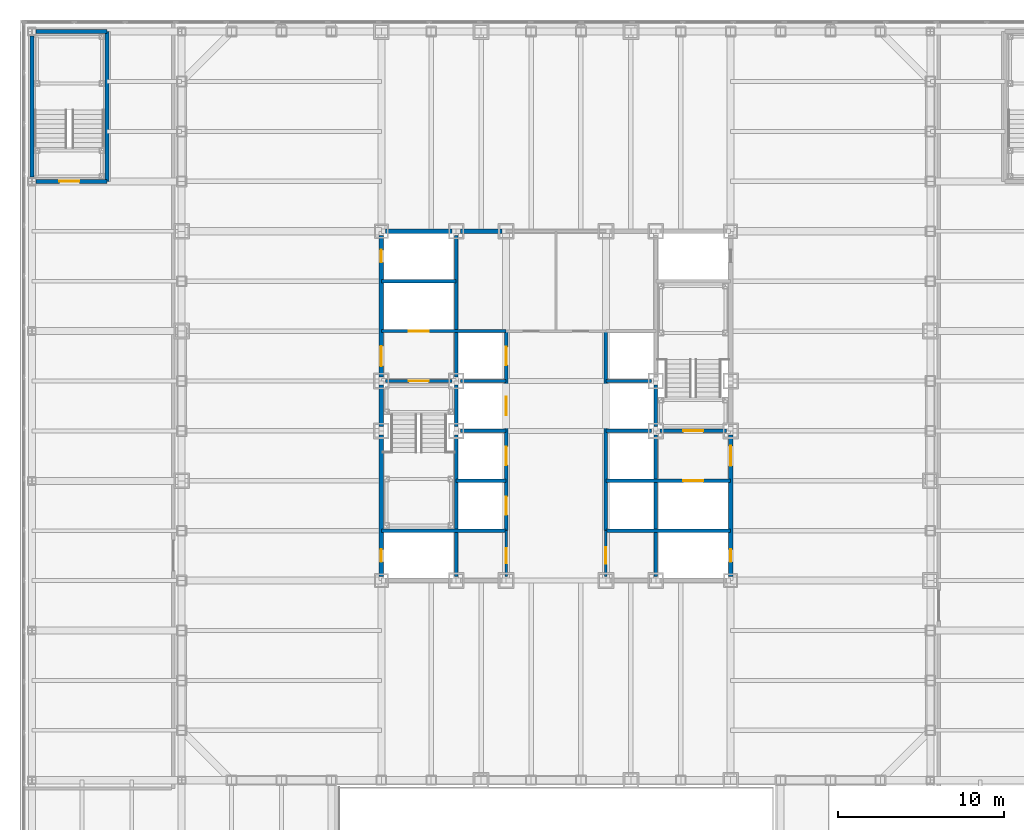
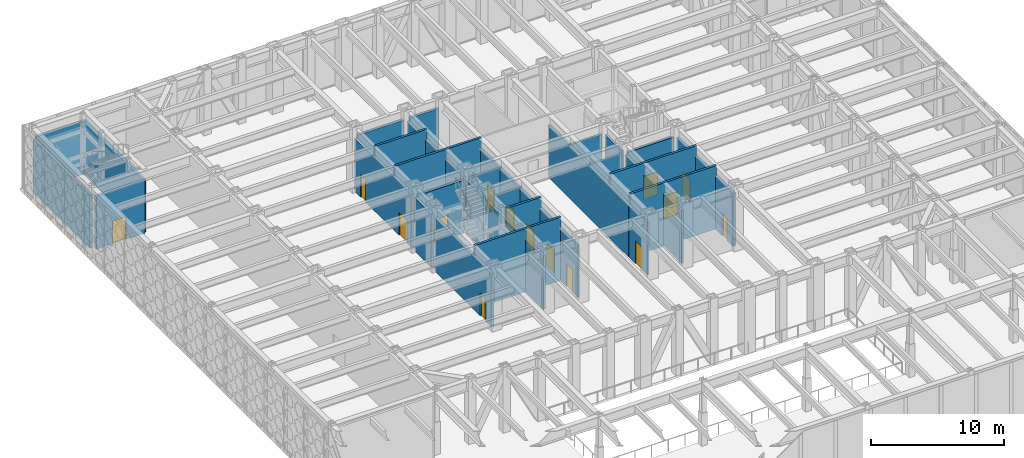
# One storey, part 16 of 32: 31 walls, 16 doors, 16 openings.
"""IFC4 building model written with IfcOpenShell, lengths in metres."""

from ifc_helpers import new_model, si_unit, direction, frame, frame_2d, origin, place, context, subcontext, project, spatial, rectangle, extrude, material, layer, layer_set, type_object, element, fill, save


model = new_model("IFC4")

# Units and contexts
model_context = context("Model", 3, precision=1e-05, world=origin(), true_north=direction((0.0, 1.0)))
body_context = subcontext(model_context, "Body", "Model", "MODEL_VIEW")
ifc_project = project(units=[si_unit("LENGTHUNIT", "METRE"), si_unit("AREAUNIT", "SQUARE_METRE"), si_unit("VOLUMEUNIT", "CUBIC_METRE"), si_unit("PLANEANGLEUNIT", "RADIAN"), si_unit("MASSUNIT", "GRAM", prefix="KILO")], contexts=[model_context])

# Site, building, storey
site_placement = place(None, origin())
site = spatial("IfcSite", under=ifc_project, at=site_placement, CompositionType="ELEMENT")
building_placement = place(site_placement, origin())
building = spatial("IfcBuilding", under=site, at=building_placement, Name="Chuquiago Exchange Tower", CompositionType="ELEMENT")
storey_placement = place(building_placement, frame((0.0, 0.0, 13.5)))
storey = spatial("IfcBuildingStorey", under=building, at=storey_placement, Name="L02", CompositionType="ELEMENT", Elevation=13.5)

# Wall, opening, door
ifc_material_1 = material(Name="Concrete masonry, fully grouted", Category="masonry")
ifc_layer_1 = layer(ifc_material_1, 0.25)
ifc_layer_set_1 = layer_set([ifc_layer_1], Name="W1 core wall 250")
wall_type_1 = type_object("IfcWallType", Name="W1 core wall 250", PredefinedType="SOLIDWALL", material=ifc_layer_set_1)
wall_1_placement = place(storey_placement, frame((12.0, 12.25, 0.0), z_axis=(0.0, 0.0, 1.0), x_axis=(0.0, 1.0, 0.0)))
wall_1 = element("IfcWall", 1, at=wall_1_placement, inside=storey, type_object=wall_type_1, Name="CW-L02-00-0", PredefinedType="SOLIDWALL", context=body_context, shape_type="SweptSolid", body=[
    extrude(rectangle(XDim=8.5, YDim=0.25, at=frame_2d((4.25, 0.0))), origin(), (0.0, 0.0, 1.0), 4.872802734375),
])
opening_1_placement = place(wall_1_placement, frame((0.875, 0.0, 0.0)))
opening_1 = element("IfcOpeningElement", 2, at=opening_1_placement, cuts=wall_1, Name="Opening L02-007", PredefinedType="OPENING", context=body_context, shape_type="SweptSolid", body=[
    extrude(rectangle(XDim=0.75, YDim=2.10009765625, at=frame_2d((0.375, 1.050048828125))), frame((0.0, 0.135009765625, 0.0), z_axis=(0.0, -1.0, 0.0), x_axis=(1.0, 0.0, 0.0)), (0.0, 0.0, 1.0), 0.27001953125),
])
ifc_material_2 = material(Name="Steel door, painted", Category="steel")
door_type_1 = type_object("IfcDoorType", Name="D6 riser access door 750x2100", OperationType="SINGLE_SWING_LEFT", PredefinedType="DOOR", material=ifc_material_2)
door_1_placement = place(opening_1_placement, origin())
door_1 = element("IfcDoor", 3, at=door_1_placement, inside=storey, type_object=door_type_1, Name="Riser RW1 door", OperationType="SINGLE_SWING_LEFT", OverallHeight=2.10009765625, OverallWidth=0.75, PredefinedType="DOOR", context=body_context, shape_type="SweptSolid", body=[
    extrude(rectangle(XDim=0.75, YDim=2.10009765625, at=frame_2d((0.375, 1.050048828125))), frame((0.0, 0.02490234375, 0.0), z_axis=(0.0, -1.0, 0.0), x_axis=(1.0, 0.0, 0.0)), (0.0, 0.0, 1.0), 0.050048828125),
])
fill(opening_1, door_1)

# Wall
wall_2_placement = place(storey_placement, frame((12.0, 21.25, 0.0), z_axis=(0.0, 0.0, 1.0), x_axis=(0.0, 1.0, 0.0)))
element("IfcWall", 4, at=wall_2_placement, inside=storey, type_object=wall_type_1, Name="CW-L02-00-1", PredefinedType="SOLIDWALL", context=body_context, shape_type="SweptSolid", body=[
    extrude(rectangle(XDim=2.5, YDim=0.25, at=frame_2d((1.25, 0.0))), origin(), (0.0, 0.0, 1.0), 4.872802734375),
])

# Wall, openings, doors
wall_3_placement = place(storey_placement, frame((12.0, 24.25, 0.0), z_axis=(0.0, 0.0, 1.0), x_axis=(0.0, 1.0, 0.0)))
wall_3 = element("IfcWall", 5, at=wall_3_placement, inside=storey, type_object=wall_type_1, Name="CW-L02-00-2", PredefinedType="SOLIDWALL", context=body_context, shape_type="SweptSolid", body=[
    extrude(rectangle(XDim=8.5, YDim=0.25, at=frame_2d((4.25, 0.0))), origin(), (0.0, 0.0, 1.0), 4.872802734375),
])
opening_2_placement = place(wall_3_placement, frame((0.64990234375, 0.0, 0.0)))
opening_2 = element("IfcOpeningElement", 6, at=opening_2_placement, cuts=wall_3, Name="Opening L02-002", PredefinedType="OPENING", context=body_context, shape_type="SweptSolid", body=[
    extrude(rectangle(XDim=1.199951171875, YDim=2.10009765625, at=frame_2d((0.60009765625, 1.050048828125))), frame((0.0, 0.135009765625, 0.0), z_axis=(0.0, -1.0, 0.0), x_axis=(1.0, 0.0, 0.0)), (0.0, 0.0, 1.0), 0.27001953125),
])
opening_3_placement = place(wall_3_placement, frame((6.875, 0.0, 0.0)))
opening_3 = element("IfcOpeningElement", 7, at=opening_3_placement, cuts=wall_3, Name="Opening L02-008", PredefinedType="OPENING", context=body_context, shape_type="SweptSolid", body=[
    extrude(rectangle(XDim=0.75, YDim=2.10009765625, at=frame_2d((0.375, 1.050048828125))), frame((0.0, 0.135009765625, 0.0), z_axis=(0.0, -1.0, 0.0), x_axis=(1.0, 0.0, 0.0)), (0.0, 0.0, 1.0), 0.27001953125),
])
ifc_material_3 = material(Name="Steel door, painted", Category="steel")
door_type_2 = type_object("IfcDoorType", Name="D5 firefighting lobby door 1200x2100", OperationType="SINGLE_SWING_LEFT", PredefinedType="DOOR", material=ifc_material_3)
door_2_placement = place(opening_2_placement, frame((1.199951171875, 0.0, 0.0), z_axis=(0.0, 0.0, 1.0), x_axis=(-1.0, 0.0, 0.0)))
door_2 = element("IfcDoor", 8, at=door_2_placement, inside=storey, type_object=door_type_2, Name="Firefighting lobby 1 door", OperationType="SINGLE_SWING_RIGHT", OverallHeight=2.10009765625, OverallWidth=1.199951171875, PredefinedType="DOOR", context=body_context, shape_type="SweptSolid", body=[
    extrude(rectangle(XDim=1.199951171875, YDim=2.10009765625, at=frame_2d((0.60009765625, 1.050048828125))), frame((0.0, 0.02490234375, 0.0), z_axis=(0.0, -1.0, 0.0), x_axis=(1.0, 0.0, 0.0)), (0.0, 0.0, 1.0), 0.050048828125),
])
fill(opening_2, door_2)
door_3_placement = place(opening_3_placement, origin())
door_3 = element("IfcDoor", 9, at=door_3_placement, inside=storey, type_object=door_type_1, Name="Riser RW2 door", OperationType="SINGLE_SWING_RIGHT", OverallHeight=2.10009765625, OverallWidth=0.75, PredefinedType="DOOR", context=body_context, shape_type="SweptSolid", body=[
    extrude(rectangle(XDim=0.75, YDim=2.10009765625, at=frame_2d((0.375, 1.050048828125))), frame((0.0, 0.02490234375, 0.0), z_axis=(0.0, -1.0, 0.0), x_axis=(1.0, 0.0, 0.0)), (0.0, 0.0, 1.0), 0.050048828125),
])
fill(opening_3, door_3)

# Walls
wall_4_placement = place(storey_placement, frame((12.25, 33.0, 0.0), z_axis=(0.0, 0.0, 1.0), x_axis=(1.0, 0.0, 0.0)))
element("IfcWall", 10, at=wall_4_placement, inside=storey, type_object=wall_type_1, Name="CW-L02-11-0", PredefinedType="SOLIDWALL", context=body_context, shape_type="SweptSolid", body=[
    extrude(rectangle(XDim=4.0, YDim=0.25, at=frame_2d((2.0, 0.0))), origin(), (0.0, 0.0, 1.0), 4.94140625),
])
wall_5_placement = place(storey_placement, frame((16.75, 33.0, 0.0), z_axis=(0.0, 0.0, 1.0), x_axis=(1.0, 0.0, 0.0)))
element("IfcWall", 11, at=wall_5_placement, inside=storey, type_object=wall_type_1, Name="CW-L02-11-1", PredefinedType="SOLIDWALL", context=body_context, shape_type="SweptSolid", body=[
    extrude(rectangle(XDim=2.5, YDim=0.25, at=frame_2d((1.25, 0.0))), origin(), (0.0, 0.0, 1.0), 4.94140625),
])

# Wall, openings, doors
wall_6_placement = place(storey_placement, frame((33.0, 12.25, 0.0), z_axis=(0.0, 0.0, 1.0), x_axis=(0.0, 1.0, 0.0)))
wall_6 = element("IfcWall", 12, at=wall_6_placement, inside=storey, type_object=wall_type_1, Name="CW-L02-25-0", PredefinedType="SOLIDWALL", context=body_context, shape_type="SweptSolid", body=[
    extrude(rectangle(XDim=8.5, YDim=0.25, at=frame_2d((4.25, 0.0))), origin(), (0.0, 0.0, 1.0), 4.872802734375),
])
opening_4_placement = place(wall_6_placement, frame((6.64990234375, 0.0, 0.0)))
opening_4 = element("IfcOpeningElement", 13, at=opening_4_placement, cuts=wall_6, Name="Opening L02-004", PredefinedType="OPENING", context=body_context, shape_type="SweptSolid", body=[
    extrude(rectangle(XDim=1.199951171875, YDim=2.10009765625, at=frame_2d((0.60009765625, 1.050048828125))), frame((0.0, 0.135009765625, 0.0), z_axis=(0.0, -1.0, 0.0), x_axis=(1.0, 0.0, 0.0)), (0.0, 0.0, 1.0), 0.27001953125),
])
opening_5_placement = place(wall_6_placement, frame((0.875, 0.0, 0.0)))
opening_5 = element("IfcOpeningElement", 14, at=opening_5_placement, cuts=wall_6, Name="Opening L02-009", PredefinedType="OPENING", context=body_context, shape_type="SweptSolid", body=[
    extrude(rectangle(XDim=0.75, YDim=2.10009765625, at=frame_2d((0.375, 1.050048828125))), frame((0.0, 0.135009765625, 0.0), z_axis=(0.0, -1.0, 0.0), x_axis=(1.0, 0.0, 0.0)), (0.0, 0.0, 1.0), 0.27001953125),
])
door_4_placement = place(opening_4_placement, origin())
door_4 = element("IfcDoor", 15, at=door_4_placement, inside=storey, type_object=door_type_2, Name="Firefighting lobby 2 door", OperationType="SINGLE_SWING_RIGHT", OverallHeight=2.10009765625, OverallWidth=1.199951171875, PredefinedType="DOOR", context=body_context, shape_type="SweptSolid", body=[
    extrude(rectangle(XDim=1.199951171875, YDim=2.10009765625, at=frame_2d((0.60009765625, 1.050048828125))), frame((0.0, 0.02490234375, 0.0), z_axis=(0.0, -1.0, 0.0), x_axis=(1.0, 0.0, 0.0)), (0.0, 0.0, 1.0), 0.050048828125),
])
fill(opening_4, door_4)
door_5_placement = place(opening_5_placement, frame((0.75, 0.0, 0.0), z_axis=(0.0, 0.0, 1.0), x_axis=(-1.0, 0.0, 0.0)))
door_5 = element("IfcDoor", 16, at=door_5_placement, inside=storey, type_object=door_type_1, Name="Riser RE1 door", OperationType="SINGLE_SWING_RIGHT", OverallHeight=2.10009765625, OverallWidth=0.75, PredefinedType="DOOR", context=body_context, shape_type="SweptSolid", body=[
    extrude(rectangle(XDim=0.75, YDim=2.10009765625, at=frame_2d((0.375, 1.050048828125))), frame((0.0, 0.02490234375, 0.0), z_axis=(0.0, -1.0, 0.0), x_axis=(1.0, 0.0, 0.0)), (0.0, 0.0, 1.0), 0.050048828125),
])
fill(opening_5, door_5)

# Wall, opening, door
ifc_material_4 = material(Name="Concrete masonry, fully grouted", Category="masonry")
ifc_layer_2 = layer(ifc_material_4, 0.25)
ifc_layer_set_2 = layer_set([ifc_layer_2], Name="W10 podium stair wall 250")
wall_type_2 = type_object("IfcWallType", Name="W10 podium stair wall 250", PredefinedType="SOLIDWALL", material=ifc_layer_set_2)
wall_7_placement = place(storey_placement, frame((-8.75, 36.0, 0.0), z_axis=(0.0, 0.0, 1.0), x_axis=(1.0, 0.0, 0.0)))
wall_7 = element("IfcWall", 17, at=wall_7_placement, inside=storey, type_object=wall_type_2, Name="PSW-L02-PS3-00", PredefinedType="SOLIDWALL", context=body_context, shape_type="SweptSolid", body=[
    extrude(rectangle(XDim=4.25, YDim=0.25, at=frame_2d((2.125, 0.0))), origin(), (0.0, 0.0, 1.0), 4.8525390625),
])
opening_6_placement = place(wall_7_placement, frame((1.39990234375, 0.0, 0.0)))
opening_6 = element("IfcOpeningElement", 18, at=opening_6_placement, cuts=wall_7, Name="Opening L02-023", PredefinedType="OPENING", context=body_context, shape_type="SweptSolid", body=[
    extrude(rectangle(XDim=1.199951171875, YDim=2.10009765625, at=frame_2d((0.60009765625, 1.050048828125))), frame((0.0, 0.135009765625, 0.0), z_axis=(0.0, -1.0, 0.0), x_axis=(1.0, 0.0, 0.0)), (0.0, 0.0, 1.0), 0.27001953125),
])
ifc_material_5 = material(Name="Steel door, painted", Category="steel")
door_type_3 = type_object("IfcDoorType", Name="D4 stair door 1200x2100", OperationType="SINGLE_SWING_LEFT", PredefinedType="DOOR", material=ifc_material_5)
door_6_placement = place(opening_6_placement, origin())
door_6 = element("IfcDoor", 19, at=door_6_placement, inside=storey, type_object=door_type_3, Name="Stair PS3 door", OperationType="SINGLE_SWING_RIGHT", OverallHeight=2.10009765625, OverallWidth=1.199951171875, PredefinedType="DOOR", context=body_context, shape_type="SweptSolid", body=[
    extrude(rectangle(XDim=1.199951171875, YDim=2.10009765625, at=frame_2d((0.60009765625, 1.050048828125))), frame((0.0, 0.02490234375, 0.0), z_axis=(0.0, -1.0, 0.0), x_axis=(1.0, 0.0, 0.0)), (0.0, 0.0, 1.0), 0.050048828125),
])
fill(opening_6, door_6)

# Walls
wall_8_placement = place(storey_placement, frame((-4.5, 36.0, 0.0), z_axis=(0.0, 0.0, 1.0), x_axis=(0.0, 1.0, 0.0)))
element("IfcWall", 20, at=wall_8_placement, inside=storey, type_object=wall_type_2, Name="PSW-L02-PS3-10", PredefinedType="SOLIDWALL", context=body_context, shape_type="SweptSolid", body=[
    extrude(rectangle(XDim=9.0, YDim=0.25, at=frame_2d((4.5, 0.0))), origin(), (0.0, 0.0, 1.0), 4.8525390625),
])
wall_9_placement = place(storey_placement, frame((-8.75, 45.0, 0.0), z_axis=(0.0, 0.0, 1.0), x_axis=(1.0, 0.0, 0.0)))
element("IfcWall", 21, at=wall_9_placement, inside=storey, type_object=wall_type_2, Name="PSW-L02-PS3-20", PredefinedType="SOLIDWALL", context=body_context, shape_type="SweptSolid", body=[
    extrude(rectangle(XDim=4.25, YDim=0.25, at=frame_2d((2.125, 0.0))), origin(), (0.0, 0.0, 1.0), 4.8525390625),
])
wall_10_placement = place(storey_placement, frame((-9.0, 36.25, 0.0), z_axis=(0.0, 0.0, 1.0), x_axis=(0.0, 1.0, 0.0)))
element("IfcWall", 22, at=wall_10_placement, inside=storey, type_object=wall_type_2, Name="PSW-L02-PS3-30", PredefinedType="SOLIDWALL", context=body_context, shape_type="SweptSolid", body=[
    extrude(rectangle(XDim=8.5, YDim=0.25, at=frame_2d((4.25, 0.0))), origin(), (0.0, 0.0, 1.0), 4.8525390625),
])
ifc_material_6 = material(Name="Concrete masonry, fully grouted", Category="masonry")
ifc_layer_3 = layer(ifc_material_6, 0.199951171875)
ifc_layer_set_3 = layer_set([ifc_layer_3], Name="W2 shaft wall 200")
wall_type_3 = type_object("IfcWallType", Name="W2 shaft wall 200", PredefinedType="SOLIDWALL", material=ifc_layer_set_3)
for number, where, z_axis, x_axis, name in (
    (23, (12.0, 15.0, 0.0), (0.0, 0.0, 1.0), (1.0, 0.0, 0.0), "CW-L02-03-0"),
    (24, (25.5, 15.0, 0.0), (0.0, 0.0, 1.0), (1.0, 0.0, 0.0), "CW-L02-04-0"),
):
    element("IfcWall", number, at=place(storey_placement, frame(where, z_axis=z_axis, x_axis=x_axis)), inside=storey, type_object=wall_type_3, Name=name, PredefinedType="SOLIDWALL", context=body_context, shape_type="SweptSolid", body=[
        extrude(rectangle(XDim=7.5, YDim=0.199951171875, at=frame_2d((3.75, 0.0))), origin(), (0.0, 0.0, 1.0), 5.800048828125),
    ])

# Wall, opening, door
wall_11_placement = place(storey_placement, frame((12.25, 24.0, 0.0), z_axis=(0.0, 0.0, 1.0), x_axis=(1.0, 0.0, 0.0)))
wall_11 = element("IfcWall", 25, at=wall_11_placement, inside=storey, type_object=wall_type_3, Name="CW-L02-05-0", PredefinedType="SOLIDWALL", context=body_context, shape_type="SweptSolid", body=[
    extrude(rectangle(XDim=4.0, YDim=0.199951171875, at=frame_2d((2.0, 0.0))), origin(), (0.0, 0.0, 1.0), 4.85009765625),
])
opening_7_placement = place(wall_11_placement, frame((1.39990234375, 0.0, 0.0)))
opening_7 = element("IfcOpeningElement", 26, at=opening_7_placement, cuts=wall_11, Name="Opening L02-001", PredefinedType="OPENING", context=body_context, shape_type="SweptSolid", body=[
    extrude(rectangle(XDim=1.199951171875, YDim=2.10009765625, at=frame_2d((0.60009765625, 1.050048828125))), frame((0.0, 0.10986328125, 0.0), z_axis=(0.0, -1.0, 0.0), x_axis=(1.0, 0.0, 0.0)), (0.0, 0.0, 1.0), 0.219970703125),
])
door_7_placement = place(opening_7_placement, frame((1.199951171875, 0.0, 0.0), z_axis=(0.0, 0.0, 1.0), x_axis=(-1.0, 0.0, 0.0)))
door_7 = element("IfcDoor", 27, at=door_7_placement, inside=storey, type_object=door_type_3, Name="Stair ST1 door", OperationType="SINGLE_SWING_RIGHT", OverallHeight=2.10009765625, OverallWidth=1.199951171875, PredefinedType="DOOR", context=body_context, shape_type="SweptSolid", body=[
    extrude(rectangle(XDim=1.199951171875, YDim=2.10009765625, at=frame_2d((0.60009765625, 1.050048828125))), frame((0.0, 0.02490234375, 0.0), z_axis=(0.0, -1.0, 0.0), x_axis=(1.0, 0.0, 0.0)), (0.0, 0.0, 1.0), 0.050048828125),
])
fill(opening_7, door_7)

# Walls
for number, where, z_axis, x_axis, name in (
    (28, (16.75, 24.0, 0.0), (0.0, 0.0, 1.0), (1.0, 0.0, 0.0), "CW-L02-05-1"),
    (29, (25.5, 24.0, 0.0), (0.0, 0.0, 1.0), (1.0, 0.0, 0.0), "CW-L02-06-0"),
):
    element("IfcWall", number, at=place(storey_placement, frame(where, z_axis=z_axis, x_axis=x_axis)), inside=storey, type_object=wall_type_3, Name=name, PredefinedType="SOLIDWALL", context=body_context, shape_type="SweptSolid", body=[
        extrude(rectangle(XDim=2.75, YDim=0.199951171875, at=frame_2d((1.375, 0.0))), origin(), (0.0, 0.0, 1.0), 4.85009765625),
    ])

# Wall, opening, door
wall_12_placement = place(storey_placement, frame((12.0, 27.0, 0.0), z_axis=(0.0, 0.0, 1.0), x_axis=(1.0, 0.0, 0.0)))
wall_12 = element("IfcWall", 30, at=wall_12_placement, inside=storey, type_object=wall_type_3, Name="CW-L02-07-0", PredefinedType="SOLIDWALL", context=body_context, shape_type="SweptSolid", body=[
    extrude(rectangle(XDim=7.5, YDim=0.199951171875, at=frame_2d((3.75, 0.0))), origin(), (0.0, 0.0, 1.0), 5.800048828125),
])
opening_8_placement = place(wall_12_placement, frame((1.64990234375, 0.0, 0.0)))
opening_8 = element("IfcOpeningElement", 31, at=opening_8_placement, cuts=wall_12, Name="Opening L02-005", PredefinedType="OPENING", context=body_context, shape_type="SweptSolid", body=[
    extrude(rectangle(XDim=1.199951171875, YDim=2.10009765625, at=frame_2d((0.60009765625, 1.050048828125))), frame((0.0, 0.10986328125, 0.0), z_axis=(0.0, -1.0, 0.0), x_axis=(1.0, 0.0, 0.0)), (0.0, 0.0, 1.0), 0.219970703125),
])
ifc_material_7 = material(Name="Stainless steel lift landing door", Category="steel")
door_type_4 = type_object("IfcDoorType", Name="LD2 firefighting lift landing door 1200x2100", OperationType="DOUBLE_DOOR_SLIDING", PredefinedType="DOOR", material=ifc_material_7)
door_8_placement = place(opening_8_placement, origin())
door_8 = element("IfcDoor", 32, at=door_8_placement, inside=storey, type_object=door_type_4, Name="Firefighting lift FL1 landing door", OperationType="DOUBLE_DOOR_SLIDING", OverallHeight=2.10009765625, OverallWidth=1.199951171875, PredefinedType="DOOR", context=body_context, shape_type="SweptSolid", body=[
    extrude(rectangle(XDim=1.199951171875, YDim=2.10009765625, at=frame_2d((0.60009765625, 1.050048828125))), frame((0.0, 0.02490234375, 0.0), z_axis=(0.0, -1.0, 0.0), x_axis=(1.0, 0.0, 0.0)), (0.0, 0.0, 1.0), 0.050048828125),
])
fill(opening_8, door_8)

# Walls
wall_13_placement = place(storey_placement, frame((12.0, 30.0, 0.0), z_axis=(0.0, 0.0, 1.0), x_axis=(1.0, 0.0, 0.0)))
element("IfcWall", 33, at=wall_13_placement, inside=storey, type_object=wall_type_3, Name="CW-L02-09-0", PredefinedType="SOLIDWALL", context=body_context, shape_type="SweptSolid", body=[
    extrude(rectangle(XDim=4.5, YDim=0.199951171875, at=frame_2d((2.25, 0.0))), origin(), (0.0, 0.0, 1.0), 5.800048828125),
])
wall_14_placement = place(storey_placement, frame((16.5, 12.25, 0.0), z_axis=(0.0, 0.0, 1.0), x_axis=(0.0, 1.0, 0.0)))
element("IfcWall", 34, at=wall_14_placement, inside=storey, type_object=wall_type_3, Name="CW-L02-13-0", PredefinedType="SOLIDWALL", context=body_context, shape_type="SweptSolid", body=[
    extrude(rectangle(XDim=8.5, YDim=0.199951171875, at=frame_2d((4.25, 0.0))), origin(), (0.0, 0.0, 1.0), 4.872802734375),
])
wall_15_placement = place(storey_placement, frame((16.5, 21.25, 0.0), z_axis=(0.0, 0.0, 1.0), x_axis=(0.0, 1.0, 0.0)))
element("IfcWall", 35, at=wall_15_placement, inside=storey, type_object=wall_type_3, Name="CW-L02-13-1", PredefinedType="SOLIDWALL", context=body_context, shape_type="SweptSolid", body=[
    extrude(rectangle(XDim=2.5, YDim=0.199951171875, at=frame_2d((1.25, 0.0))), origin(), (0.0, 0.0, 1.0), 4.872802734375),
])
wall_16_placement = place(storey_placement, frame((16.5, 24.25, 0.0), z_axis=(0.0, 0.0, 1.0), x_axis=(0.0, 1.0, 0.0)))
element("IfcWall", 36, at=wall_16_placement, inside=storey, type_object=wall_type_3, Name="CW-L02-13-2", PredefinedType="SOLIDWALL", context=body_context, shape_type="SweptSolid", body=[
    extrude(rectangle(XDim=8.5, YDim=0.199951171875, at=frame_2d((4.25, 0.0))), origin(), (0.0, 0.0, 1.0), 4.872802734375),
])
wall_17_placement = place(storey_placement, frame((16.5, 18.0, 0.0), z_axis=(0.0, 0.0, 1.0), x_axis=(1.0, 0.0, 0.0)))
element("IfcWall", 37, at=wall_17_placement, inside=storey, type_object=wall_type_3, Name="CW-L02-14-0", PredefinedType="SOLIDWALL", context=body_context, shape_type="SweptSolid", body=[
    extrude(rectangle(XDim=3.0, YDim=0.199951171875, at=frame_2d((1.5, 0.0))), origin(), (0.0, 0.0, 1.0), 5.800048828125),
])

# Wall, opening, door
wall_18_placement = place(storey_placement, frame((25.5, 18.0, 0.0), z_axis=(0.0, 0.0, 1.0), x_axis=(1.0, 0.0, 0.0)))
wall_18 = element("IfcWall", 38, at=wall_18_placement, inside=storey, type_object=wall_type_3, Name="CW-L02-15-0", PredefinedType="SOLIDWALL", context=body_context, shape_type="SweptSolid", body=[
    extrude(rectangle(XDim=7.5, YDim=0.199951171875, at=frame_2d((3.75, 0.0))), origin(), (0.0, 0.0, 1.0), 5.800048828125),
])
opening_9_placement = place(wall_18_placement, frame((4.64990234375, 0.0, 0.0)))
opening_9 = element("IfcOpeningElement", 39, at=opening_9_placement, cuts=wall_18, Name="Opening L02-006", PredefinedType="OPENING", context=body_context, shape_type="SweptSolid", body=[
    extrude(rectangle(XDim=1.199951171875, YDim=2.10009765625, at=frame_2d((0.60009765625, 1.050048828125))), frame((0.0, 0.10986328125, 0.0), z_axis=(0.0, -1.0, 0.0), x_axis=(1.0, 0.0, 0.0)), (0.0, 0.0, 1.0), 0.219970703125),
])
door_9_placement = place(opening_9_placement, origin())
door_9 = element("IfcDoor", 40, at=door_9_placement, inside=storey, type_object=door_type_4, Name="Firefighting lift FL2 landing door", OperationType="DOUBLE_DOOR_SLIDING", OverallHeight=2.10009765625, OverallWidth=1.199951171875, PredefinedType="DOOR", context=body_context, shape_type="SweptSolid", body=[
    extrude(rectangle(XDim=1.199951171875, YDim=2.10009765625, at=frame_2d((0.60009765625, 1.050048828125))), frame((0.0, 0.02490234375, 0.0), z_axis=(0.0, -1.0, 0.0), x_axis=(1.0, 0.0, 0.0)), (0.0, 0.0, 1.0), 0.050048828125),
])
fill(opening_9, door_9)

# Walls
for number, where, z_axis, x_axis, name in (
    (41, (16.75, 21.0, 0.0), (0.0, 0.0, 1.0), (1.0, 0.0, 0.0), "CW-L02-16-0"),
    (42, (25.5, 21.0, 0.0), (0.0, 0.0, 1.0), (1.0, 0.0, 0.0), "CW-L02-17-0"),
):
    element("IfcWall", number, at=place(storey_placement, frame(where, z_axis=z_axis, x_axis=x_axis)), inside=storey, type_object=wall_type_3, Name=name, PredefinedType="SOLIDWALL", context=body_context, shape_type="SweptSolid", body=[
        extrude(rectangle(XDim=2.75, YDim=0.199951171875, at=frame_2d((1.375, 0.0))), origin(), (0.0, 0.0, 1.0), 4.85009765625),
    ])

# Wall, opening, door
wall_19_placement = place(storey_placement, frame((28.75, 21.0, 0.0), z_axis=(0.0, 0.0, 1.0), x_axis=(1.0, 0.0, 0.0)))
wall_19 = element("IfcWall", 43, at=wall_19_placement, inside=storey, type_object=wall_type_3, Name="CW-L02-17-1", PredefinedType="SOLIDWALL", context=body_context, shape_type="SweptSolid", body=[
    extrude(rectangle(XDim=4.0, YDim=0.199951171875, at=frame_2d((2.0, 0.0))), origin(), (0.0, 0.0, 1.0), 4.85009765625),
])
opening_10_placement = place(wall_19_placement, frame((1.39990234375, 0.0, 0.0)))
opening_10 = element("IfcOpeningElement", 44, at=opening_10_placement, cuts=wall_19, Name="Opening L02-003", PredefinedType="OPENING", context=body_context, shape_type="SweptSolid", body=[
    extrude(rectangle(XDim=1.199951171875, YDim=2.10009765625, at=frame_2d((0.60009765625, 1.050048828125))), frame((0.0, 0.10986328125, 0.0), z_axis=(0.0, -1.0, 0.0), x_axis=(1.0, 0.0, 0.0)), (0.0, 0.0, 1.0), 0.219970703125),
])
door_10_placement = place(opening_10_placement, origin())
door_10 = element("IfcDoor", 45, at=door_10_placement, inside=storey, type_object=door_type_3, Name="Stair ST2 door", OperationType="SINGLE_SWING_LEFT", OverallHeight=2.10009765625, OverallWidth=1.199951171875, PredefinedType="DOOR", context=body_context, shape_type="SweptSolid", body=[
    extrude(rectangle(XDim=1.199951171875, YDim=2.10009765625, at=frame_2d((0.60009765625, 1.050048828125))), frame((0.0, 0.02490234375, 0.0), z_axis=(0.0, -1.0, 0.0), x_axis=(1.0, 0.0, 0.0)), (0.0, 0.0, 1.0), 0.050048828125),
])
fill(opening_10, door_10)

# Wall, openings, doors
wall_20_placement = place(storey_placement, frame((19.5, 15.0, 0.0), z_axis=(0.0, 0.0, 1.0), x_axis=(0.0, 1.0, 0.0)))
wall_20 = element("IfcWall", 46, at=wall_20_placement, inside=storey, type_object=wall_type_3, Name="CW-L02-19-0", PredefinedType="SOLIDWALL", context=body_context, shape_type="SweptSolid", body=[
    extrude(rectangle(XDim=12.0, YDim=0.199951171875, at=frame_2d((6.0, 0.0))), origin(), (0.0, 0.0, 1.0), 4.82470703125),
])
opening_11_placement = place(wall_20_placement, frame((0.949951171875, 0.0, 0.0)))
opening_11 = element("IfcOpeningElement", 47, at=opening_11_placement, cuts=wall_20, Name="Opening L02-015", PredefinedType="OPENING", context=body_context, shape_type="SweptSolid", body=[
    extrude(rectangle(XDim=1.10009765625, YDim=2.10009765625, at=frame_2d((0.550048828125, 1.050048828125))), frame((0.0, 0.10986328125, 0.0), z_axis=(0.0, -1.0, 0.0), x_axis=(1.0, 0.0, 0.0)), (0.0, 0.0, 1.0), 0.219970703125),
])
opening_12_placement = place(wall_20_placement, frame((3.949951171875, 0.0, 0.0)))
opening_12 = element("IfcOpeningElement", 48, at=opening_12_placement, cuts=wall_20, Name="Opening L02-016", PredefinedType="OPENING", context=body_context, shape_type="SweptSolid", body=[
    extrude(rectangle(XDim=1.10009765625, YDim=2.10009765625, at=frame_2d((0.550048828125, 1.050048828125))), frame((0.0, 0.10986328125, 0.0), z_axis=(0.0, -1.0, 0.0), x_axis=(1.0, 0.0, 0.0)), (0.0, 0.0, 1.0), 0.219970703125),
])
opening_13_placement = place(wall_20_placement, frame((6.949951171875, 0.0, 0.0)))
opening_13 = element("IfcOpeningElement", 49, at=opening_13_placement, cuts=wall_20, Name="Opening L02-017", PredefinedType="OPENING", context=body_context, shape_type="SweptSolid", body=[
    extrude(rectangle(XDim=1.10009765625, YDim=2.10009765625, at=frame_2d((0.550048828125, 1.050048828125))), frame((0.0, 0.10986328125, 0.0), z_axis=(0.0, -1.0, 0.0), x_axis=(1.0, 0.0, 0.0)), (0.0, 0.0, 1.0), 0.219970703125),
])
opening_14_placement = place(wall_20_placement, frame((9.949951171875, 0.0, 0.0)))
opening_14 = element("IfcOpeningElement", 50, at=opening_14_placement, cuts=wall_20, Name="Opening L02-018", PredefinedType="OPENING", context=body_context, shape_type="SweptSolid", body=[
    extrude(rectangle(XDim=1.10009765625, YDim=2.10009765625, at=frame_2d((0.550048828125, 1.050048828125))), frame((0.0, 0.10986328125, 0.0), z_axis=(0.0, -1.0, 0.0), x_axis=(1.0, 0.0, 0.0)), (0.0, 0.0, 1.0), 0.219970703125),
])
ifc_material_8 = material(Name="Stainless steel lift landing door", Category="steel")
door_type_5 = type_object("IfcDoorType", Name="LD1 lift landing door 1100x2100", OperationType="DOUBLE_DOOR_SLIDING", PredefinedType="DOOR", material=ifc_material_8)
door_11_placement = place(opening_11_placement, origin())
door_11 = element("IfcDoor", 51, at=door_11_placement, inside=storey, type_object=door_type_5, Name="Lift LA1 landing door", OperationType="DOUBLE_DOOR_SLIDING", OverallHeight=2.10009765625, OverallWidth=1.10009765625, PredefinedType="DOOR", context=body_context, shape_type="SweptSolid", body=[
    extrude(rectangle(XDim=1.10009765625, YDim=2.10009765625, at=frame_2d((0.550048828125, 1.050048828125))), frame((0.0, 0.02490234375, 0.0), z_axis=(0.0, -1.0, 0.0), x_axis=(1.0, 0.0, 0.0)), (0.0, 0.0, 1.0), 0.050048828125),
])
fill(opening_11, door_11)
door_12_placement = place(opening_12_placement, origin())
door_12 = element("IfcDoor", 52, at=door_12_placement, inside=storey, type_object=door_type_5, Name="Lift LA2 landing door", OperationType="DOUBLE_DOOR_SLIDING", OverallHeight=2.10009765625, OverallWidth=1.10009765625, PredefinedType="DOOR", context=body_context, shape_type="SweptSolid", body=[
    extrude(rectangle(XDim=1.10009765625, YDim=2.10009765625, at=frame_2d((0.550048828125, 1.050048828125))), frame((0.0, 0.02490234375, 0.0), z_axis=(0.0, -1.0, 0.0), x_axis=(1.0, 0.0, 0.0)), (0.0, 0.0, 1.0), 0.050048828125),
])
fill(opening_12, door_12)
door_13_placement = place(opening_13_placement, origin())
door_13 = element("IfcDoor", 53, at=door_13_placement, inside=storey, type_object=door_type_5, Name="Lift LA3 landing door", OperationType="DOUBLE_DOOR_SLIDING", OverallHeight=2.10009765625, OverallWidth=1.10009765625, PredefinedType="DOOR", context=body_context, shape_type="SweptSolid", body=[
    extrude(rectangle(XDim=1.10009765625, YDim=2.10009765625, at=frame_2d((0.550048828125, 1.050048828125))), frame((0.0, 0.02490234375, 0.0), z_axis=(0.0, -1.0, 0.0), x_axis=(1.0, 0.0, 0.0)), (0.0, 0.0, 1.0), 0.050048828125),
])
fill(opening_13, door_13)
door_14_placement = place(opening_14_placement, origin())
door_14 = element("IfcDoor", 54, at=door_14_placement, inside=storey, type_object=door_type_5, Name="Lift LA4 landing door", OperationType="DOUBLE_DOOR_SLIDING", OverallHeight=2.10009765625, OverallWidth=1.10009765625, PredefinedType="DOOR", context=body_context, shape_type="SweptSolid", body=[
    extrude(rectangle(XDim=1.10009765625, YDim=2.10009765625, at=frame_2d((0.550048828125, 1.050048828125))), frame((0.0, 0.02490234375, 0.0), z_axis=(0.0, -1.0, 0.0), x_axis=(1.0, 0.0, 0.0)), (0.0, 0.0, 1.0), 0.050048828125),
])
fill(opening_14, door_14)

# Walls
wall_21_placement = place(storey_placement, frame((25.5, 15.0, 0.0), z_axis=(0.0, 0.0, 1.0), x_axis=(0.0, 1.0, 0.0)))
element("IfcWall", 55, at=wall_21_placement, inside=storey, type_object=wall_type_3, Name="CW-L02-22-0", PredefinedType="SOLIDWALL", context=body_context, shape_type="SweptSolid", body=[
    extrude(rectangle(XDim=12.0, YDim=0.199951171875, at=frame_2d((6.0, 0.0))), origin(), (0.0, 0.0, 1.0), 4.82470703125),
])
wall_22_placement = place(storey_placement, frame((28.5, 12.25, 0.0), z_axis=(0.0, 0.0, 1.0), x_axis=(0.0, 1.0, 0.0)))
element("IfcWall", 56, at=wall_22_placement, inside=storey, type_object=wall_type_3, Name="CW-L02-24-0", PredefinedType="SOLIDWALL", context=body_context, shape_type="SweptSolid", body=[
    extrude(rectangle(XDim=8.5, YDim=0.199951171875, at=frame_2d((4.25, 0.0))), origin(), (0.0, 0.0, 1.0), 4.872802734375),
])
wall_23_placement = place(storey_placement, frame((28.5, 21.25, 0.0), z_axis=(0.0, 0.0, 1.0), x_axis=(0.0, 1.0, 0.0)))
element("IfcWall", 57, at=wall_23_placement, inside=storey, type_object=wall_type_3, Name="CW-L02-24-1", PredefinedType="SOLIDWALL", context=body_context, shape_type="SweptSolid", body=[
    extrude(rectangle(XDim=2.5, YDim=0.199951171875, at=frame_2d((1.25, 0.0))), origin(), (0.0, 0.0, 1.0), 4.872802734375),
])

# Wall, opening, door
ifc_material_9 = material(Name="Gypsum board on steel studs", Category="steel")
ifc_layer_4 = layer(ifc_material_9, 0.14990234375)
ifc_layer_set_4 = layer_set([ifc_layer_4], Name="W3 core partition 150")
wall_type_4 = type_object("IfcWallType", Name="W3 core partition 150", PredefinedType="PARTITIONING", material=ifc_layer_set_4)
wall_24_placement = place(storey_placement, frame((19.5, 12.25, 0.0), z_axis=(0.0, 0.0, 1.0), x_axis=(0.0, 1.0, 0.0)))
wall_24 = element("IfcWall", 58, at=wall_24_placement, inside=storey, type_object=wall_type_4, Name="CW-L02-18-0", PredefinedType="PARTITIONING", context=body_context, shape_type="SweptSolid", body=[
    extrude(rectangle(XDim=2.75, YDim=0.14990234375, at=frame_2d((1.375, 0.0))), origin(), (0.0, 0.0, 1.0), 4.82470703125),
])
opening_15_placement = place(wall_24_placement, frame((0.800048828125, 0.0, 0.0)))
opening_15 = element("IfcOpeningElement", 59, at=opening_15_placement, cuts=wall_24, Name="Opening L02-014", PredefinedType="OPENING", context=body_context, shape_type="SweptSolid", body=[
    extrude(rectangle(XDim=0.89990234375, YDim=2.10009765625, at=frame_2d((0.449951171875, 1.050048828125))), frame((0.0, 0.0849609375, 0.0), z_axis=(0.0, -1.0, 0.0), x_axis=(1.0, 0.0, 0.0)), (0.0, 0.0, 1.0), 0.169921875),
])
ifc_material_10 = material(Name="Timber door, laminate faced", Category="wood")
door_type_6 = type_object("IfcDoorType", Name="D7 toilet door 900x2100", OperationType="SINGLE_SWING_LEFT", PredefinedType="DOOR", material=ifc_material_10)
door_15_placement = place(opening_15_placement, frame((0.89990234375, 0.0, 0.0), z_axis=(0.0, 0.0, 1.0), x_axis=(-1.0, 0.0, 0.0)))
door_15 = element("IfcDoor", 60, at=door_15_placement, inside=storey, type_object=door_type_6, Name="Cleaner door", OperationType="SINGLE_SWING_RIGHT", OverallHeight=2.10009765625, OverallWidth=0.89990234375, PredefinedType="DOOR", context=body_context, shape_type="SweptSolid", body=[
    extrude(rectangle(XDim=0.89990234375, YDim=2.10009765625, at=frame_2d((0.449951171875, 1.050048828125))), frame((0.0, 0.02490234375, 0.0), z_axis=(0.0, -1.0, 0.0), x_axis=(1.0, 0.0, 0.0)), (0.0, 0.0, 1.0), 0.050048828125),
])
fill(opening_15, door_15)

wall_25_placement = place(storey_placement, frame((25.5, 12.25, 0.0), z_axis=(0.0, 0.0, 1.0), x_axis=(0.0, 1.0, 0.0)))
wall_25 = element("IfcWall", 61, at=wall_25_placement, inside=storey, type_object=wall_type_4, Name="CW-L02-21-0", PredefinedType="PARTITIONING", context=body_context, shape_type="SweptSolid", body=[
    extrude(rectangle(XDim=2.75, YDim=0.14990234375, at=frame_2d((1.375, 0.0))), origin(), (0.0, 0.0, 1.0), 4.82470703125),
])
opening_16_placement = place(wall_25_placement, frame((0.75, 0.0, 0.0)))
opening_16 = element("IfcOpeningElement", 62, at=opening_16_placement, cuts=wall_25, Name="Opening L02-013", PredefinedType="OPENING", context=body_context, shape_type="SweptSolid", body=[
    extrude(rectangle(XDim=1.0, YDim=2.10009765625, at=frame_2d((0.5, 1.050048828125))), frame((0.0, 0.0849609375, 0.0), z_axis=(0.0, -1.0, 0.0), x_axis=(1.0, 0.0, 0.0)), (0.0, 0.0, 1.0), 0.169921875),
])
ifc_material_11 = material(Name="Timber door, laminate faced", Category="wood")
door_type_7 = type_object("IfcDoorType", Name="D8 accessible toilet door 1000x2100", OperationType="SLIDING_TO_LEFT", PredefinedType="DOOR", material=ifc_material_11)
door_16_placement = place(opening_16_placement, origin())
door_16 = element("IfcDoor", 63, at=door_16_placement, inside=storey, type_object=door_type_7, Name="Accessible WC door", OperationType="SLIDING_TO_LEFT", OverallHeight=2.10009765625, OverallWidth=1.0, PredefinedType="DOOR", context=body_context, shape_type="SweptSolid", body=[
    extrude(rectangle(XDim=1.0, YDim=2.10009765625, at=frame_2d((0.5, 1.050048828125))), frame((0.0, 0.02490234375, 0.0), z_axis=(0.0, -1.0, 0.0), x_axis=(1.0, 0.0, 0.0)), (0.0, 0.0, 1.0), 0.050048828125),
])
fill(opening_16, door_16)

save(model, "model.ifc")
